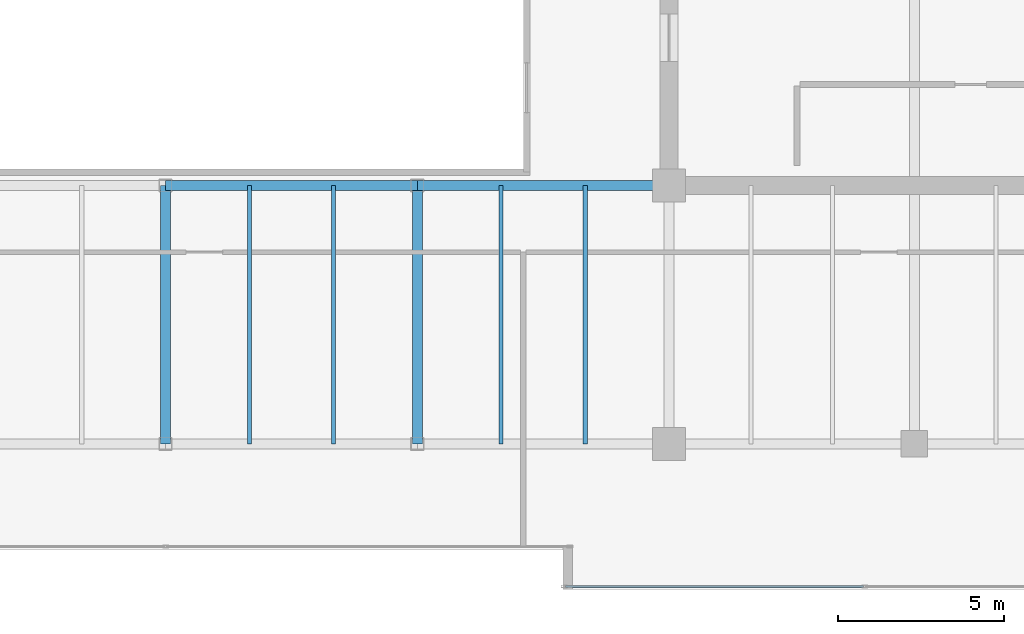
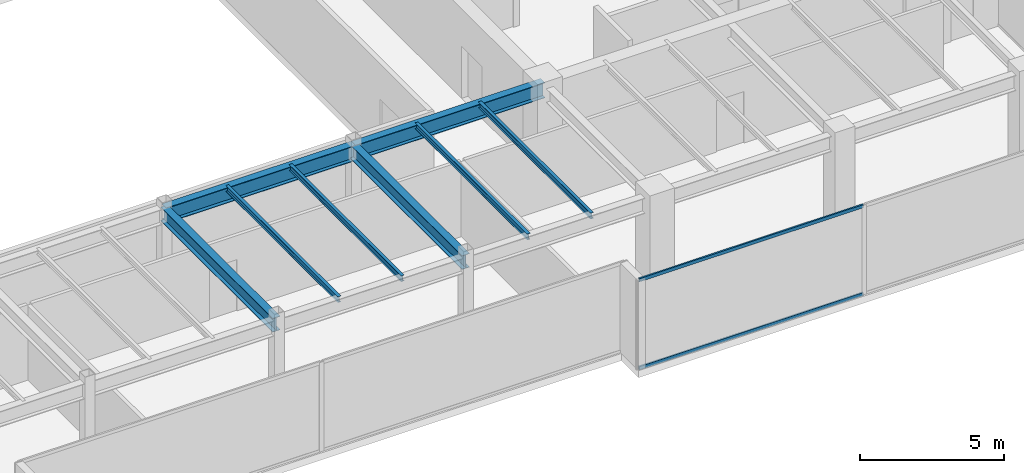
# One storey, part 12 of 33: 8 beams, 2 members, 1 element without a shape of its own.
"""IFC4 building model written with IfcOpenShell, lengths in metres."""

from ifc_helpers import new_model, si_unit, direction, frame, origin, origin_2d, place, context, subcontext, project, spatial, hollow_rectangle, i_section, extrude, source, transform, mapped, material, layer, layer_set, material_profile, profile_set, type_object, type_shapes, element, aggregate, save


model = new_model("IFC4")

# Units and contexts
model_context = context("Model", 3, precision=1e-05, world=origin(), true_north=direction((0.0, 1.0)))
body_context = subcontext(model_context, "Body", "Model", "MODEL_VIEW")
ifc_project = project(units=[si_unit("LENGTHUNIT", "METRE"), si_unit("AREAUNIT", "SQUARE_METRE"), si_unit("VOLUMEUNIT", "CUBIC_METRE"), si_unit("PLANEANGLEUNIT", "RADIAN"), si_unit("MASSUNIT", "GRAM", prefix="KILO")], contexts=[model_context])

# Site, building, storey
site_placement = place(None, origin())
site = spatial("IfcSite", under=ifc_project, at=site_placement, CompositionType="ELEMENT")
building_placement = place(site_placement, origin())
building = spatial("IfcBuilding", under=site, at=building_placement, Name="Haelvirn Gate Laboratories", CompositionType="ELEMENT")
storey_placement = place(building_placement, frame((0.0, 0.0, 250.60009765625)))
storey = spatial("IfcBuildingStorey", under=building, at=storey_placement, Name="L60", CompositionType="ELEMENT", Elevation=250.60009765625)

# Beams
ifc_material_1 = material(Name="Steel SM355", Category="steel")
ifc_material_profile_1 = material_profile(ifc_material_1, i_section(OverallWidth=0.300048828125, OverallDepth=0.587890625, WebThickness=0.011962890625, FlangeThickness=0.02001953125, at=origin_2d()), Name="H-588x300x12x20")
ifc_profile_set_1 = profile_set([ifc_material_profile_1], Name="Steel SM355")
beam_type_1 = type_object("IfcBeamType", Name="BM-G-588", PredefinedType="BEAM", material=ifc_profile_set_1)
shared_shape_1 = source(origin(), body_context, "Body", "SweptSolid", [
    extrude(i_section(OverallWidth=0.300048828125, OverallDepth=0.587890625, WebThickness=0.011962890625, FlangeThickness=0.02001953125, at=origin_2d()), origin(), (0.0, 0.0, 1.0), 7.800048828125),
])
type_shapes(beam_type_1, [shared_shape_1])
for number, where, z_axis, x_axis, name in (
    (1, (37.39990234375, 7.0, 3.505859375), (0.0, 1.0, 0.0), (-1.0, 0.0, 0.0), "L60 Frame Girder X37.4 (7.0-14.8)"),
    (2, (45.0, 7.0, 3.505859375), (0.0, 1.0, 0.0), (-1.0, 0.0, 0.0), "L60 Frame Girder X45.0 (7.0-14.8)"),
):
    element("IfcBeam", number, at=place(storey_placement, frame(where, z_axis=z_axis, x_axis=x_axis)), inside=storey, type_object=beam_type_1, Name=name, PredefinedType="BEAM", context=body_context, shape_type="MappedRepresentation", body=[
        mapped(shared_shape_1, transform((0.0, 0.0, 0.0), scale=1.0)),
    ])
ifc_material_profile_2 = material_profile(ifc_material_1, i_section(OverallWidth=0.300048828125, OverallDepth=0.64990234375, WebThickness=0.012939453125, FlangeThickness=0.02197265625, at=origin_2d()), Name="H-650x300x13x22")
ifc_profile_set_2 = profile_set([ifc_material_profile_2], Name="Steel SM355")
beam_type_2 = type_object("IfcBeamType", Name="BM-G-650", PredefinedType="BEAM", material=ifc_profile_set_2)
shared_shape_2 = source(origin(), body_context, "Body", "SweptSolid", [
    extrude(i_section(OverallWidth=0.300048828125, OverallDepth=0.64990234375, WebThickness=0.012939453125, FlangeThickness=0.02197265625, at=origin_2d()), origin(), (0.0, 0.0, 1.0), 7.60009765625),
])
type_shapes(beam_type_2, [shared_shape_2])
for number, where, z_axis, x_axis, name in (
    (3, (37.39990234375, 14.800048828125, 3.474853515625), (1.0, 0.0, 0.0), (0.0, 1.0, 0.0), "L60 Primary Girder Y14.8 (37.4-45.0)"),
    (4, (45.0, 14.800048828125, 3.474853515625), (1.0, 0.0, 0.0), (0.0, 1.0, 0.0), "L60 Primary Girder Y14.8 (45.0-52.6)"),
):
    element("IfcBeam", number, at=place(storey_placement, frame(where, z_axis=z_axis, x_axis=x_axis)), inside=storey, type_object=beam_type_2, Name=name, PredefinedType="BEAM", context=body_context, shape_type="MappedRepresentation", body=[
        mapped(shared_shape_2, transform((0.0, 0.0, 0.0), scale=1.0)),
    ])
ifc_material_profile_3 = material_profile(ifc_material_1, i_section(OverallWidth=0.125, OverallDepth=0.25, WebThickness=0.006103515625, FlangeThickness=0.009033203125, at=origin_2d()), Name="H-250x125x6x9")
ifc_profile_set_3 = profile_set([ifc_material_profile_3], Name="Steel SM355")
beam_type_3 = type_object("IfcBeamType", Name="BM-J-250", PredefinedType="JOIST", material=ifc_profile_set_3)
shared_shape_3 = source(origin(), body_context, "Body", "SweptSolid", [
    extrude(i_section(OverallWidth=0.125, OverallDepth=0.25, WebThickness=0.006103515625, FlangeThickness=0.009033203125, at=origin_2d()), origin(), (0.0, 0.0, 1.0), 7.800048828125),
])
type_shapes(beam_type_3, [shared_shape_3])
for number, where, z_axis, x_axis, name in (
    (5, (39.929931640625, 7.0, 3.6748046875), (0.0, 1.0, 0.0), (-1.0, 0.0, 0.0), "L60 Composite Lab Joist South X39.93"),
    (6, (42.469970703125, 7.0, 3.6748046875), (0.0, 1.0, 0.0), (-1.0, 0.0, 0.0), "L60 Composite Lab Joist South X42.47"),
    (7, (47.530029296875, 7.0, 3.6748046875), (0.0, 1.0, 0.0), (-1.0, 0.0, 0.0), "L60 Composite Lab Joist South X47.53"),
    (8, (50.070068359375, 7.0, 3.6748046875), (0.0, 1.0, 0.0), (-1.0, 0.0, 0.0), "L60 Composite Lab Joist South X50.07"),
):
    element("IfcBeam", number, at=place(storey_placement, frame(where, z_axis=z_axis, x_axis=x_axis)), inside=storey, type_object=beam_type_3, Name=name, PredefinedType="JOIST", context=body_context, shape_type="MappedRepresentation", body=[
        mapped(shared_shape_3, transform((0.0, 0.0, 0.0), scale=1.0)),
    ])

# Curtain wall, members
ifc_material_2 = material(Name="Anodised bronze unitised aluminium & triple low-E glass", Category="aluminium")
ifc_layer = layer(ifc_material_2, 0.176025390625, Name="CW-SYS-4")
ifc_layer_set = layer_set([ifc_layer], Name="Anodised bronze unitised aluminium & triple low-E glass")
curtain_wall_type = type_object("IfcCurtainWallType", Name="CW-SYS-4", PredefinedType="NOTDEFINED", material=ifc_layer_set)
curtain_wall_placement = place(storey_placement, origin())
curtain_wall = element("IfcCurtainWall", 9, at=curtain_wall_placement, inside=storey, type_object=curtain_wall_type, Name="L60 Unitised Curtain Wall CW-L60-P0-E04-1", PredefinedType="NOTDEFINED")
ifc_material_3 = material(Name="Extruded aluminium 6063-T6 (anodised bronze)", Category="aluminium")
ifc_material_profile_4 = material_profile(ifc_material_3, hollow_rectangle(XDim=0.06494140625, YDim=0.139892578125, WallThickness=0.00390625, at=origin_2d()), Name="CWT-140x65x4")
ifc_profile_set_4 = profile_set([ifc_material_profile_4], Name="Extruded aluminium 6063-T6 (anodised bronze)")
member_type = type_object("IfcMemberType", Name="CWT-T140", PredefinedType="USERDEFINED", material=ifc_profile_set_4)
shared_shape_4 = source(origin(), body_context, "Body", "SweptSolid", [
    extrude(hollow_rectangle(XDim=0.06494140625, YDim=0.139892578125, WallThickness=0.00390625, at=origin_2d()), origin(), (0.0, 0.0, 1.0), 8.9951171875),
])
type_shapes(member_type, [shared_shape_4])
member_1_placement = place(storey_placement, frame((49.469970703125, 2.699951171875, 0.032470703125), z_axis=(1.0, 0.0, 0.0), x_axis=(0.0, 1.0, 0.0)))
member_1 = element("IfcMember", 10, at=member_1_placement, type_object=member_type, Name="CW4 transom 1.1", ObjectType="TRANSOM", PredefinedType="USERDEFINED", context=body_context, shape_type="MappedRepresentation", body=[
    mapped(shared_shape_4, transform((0.0, 0.0, 0.0), scale=1.0)),
])
member_2_placement = place(storey_placement, frame((49.469970703125, 2.699951171875, 3.767333984375), z_axis=(1.0, 0.0, 0.0), x_axis=(0.0, 1.0, 0.0)))
member_2 = element("IfcMember", 11, at=member_2_placement, type_object=member_type, Name="CW4 transom 1.2", ObjectType="TRANSOM", PredefinedType="USERDEFINED", context=body_context, shape_type="MappedRepresentation", body=[
    mapped(shared_shape_4, transform((0.0, 0.0, 0.0), scale=1.0)),
])
aggregate(curtain_wall, [member_1, member_2])

save(model, "model.ifc")
